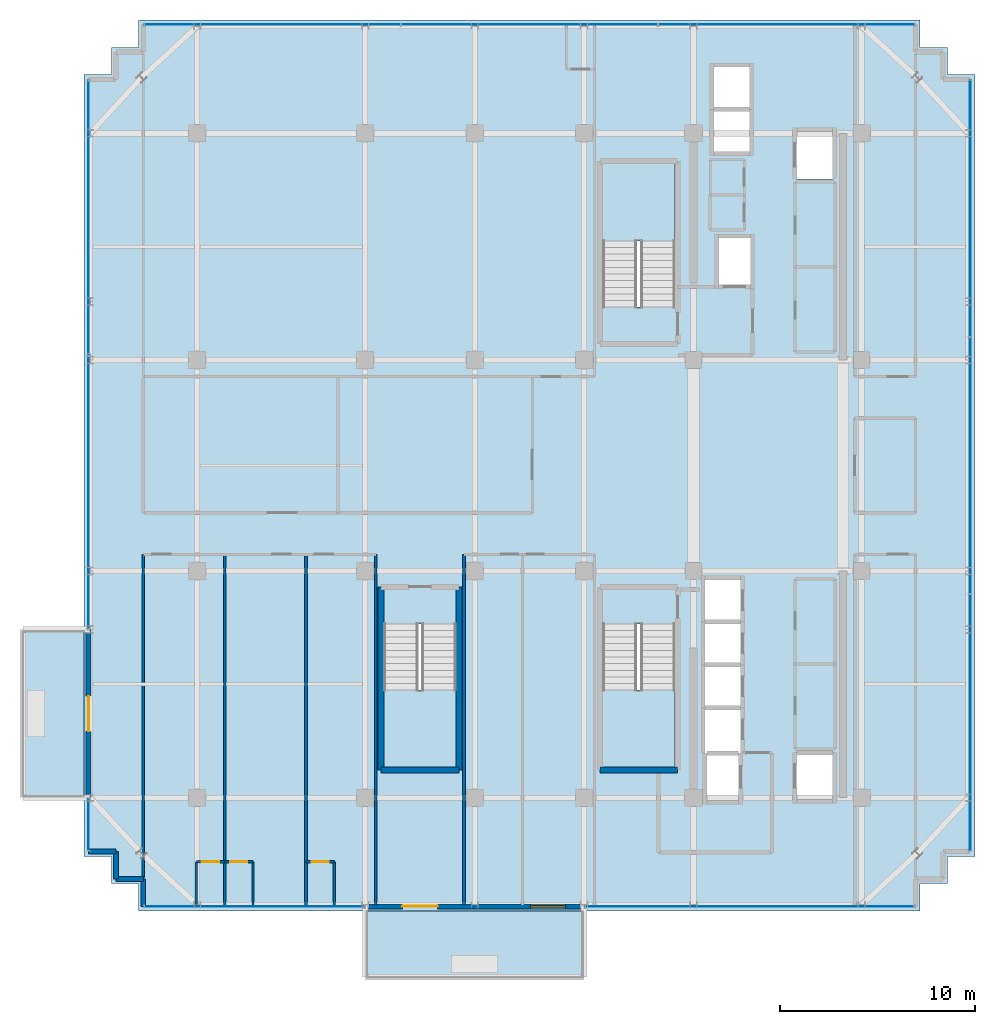
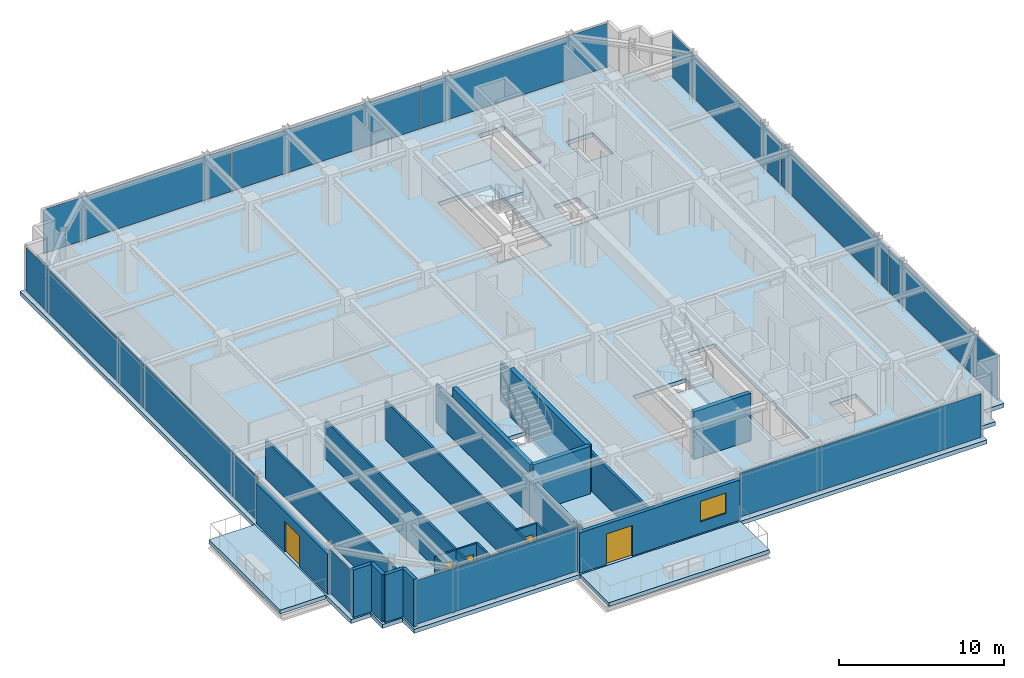
# One storey, part 24 of 31: 21 walls, 11 plates, 6 slabs, 5 doors, 1 window, 6 openings, 9 elements without a shape of their own.
"""IFC4 building model written with IfcOpenShell, lengths in metres."""

from ifc_helpers import new_model, si_unit, direction, frame, frame_2d, origin, origin_2d, place, context, subcontext, project, spatial, polyline, rectangle, outline, extrude, source, transform, mapped, material, layer, layer_set, type_object, element, fill, aggregate, save


model = new_model("IFC4")

# Units and contexts
model_context = context("Model", 3, precision=1e-05, world=origin(), true_north=direction((0.0, 1.0)))
body_context = subcontext(model_context, "Body", "Model", "MODEL_VIEW")
ifc_project = project(units=[si_unit("LENGTHUNIT", "METRE"), si_unit("AREAUNIT", "SQUARE_METRE"), si_unit("VOLUMEUNIT", "CUBIC_METRE"), si_unit("PLANEANGLEUNIT", "RADIAN"), si_unit("MASSUNIT", "GRAM", prefix="KILO")], contexts=[model_context])

# Site, building, storey
site_placement = place(None, origin())
site = spatial("IfcSite", under=ifc_project, at=site_placement, CompositionType="ELEMENT")
building_placement = place(site_placement, origin())
building = spatial("IfcBuilding", under=site, at=building_placement, Name="Nahalor Promenade Grand Hotel", CompositionType="ELEMENT")
storey_placement = place(building_placement, frame((0.0, 0.0, 323.35009765625)))
storey = spatial("IfcBuildingStorey", under=building, at=storey_placement, Name="L83", CompositionType="ELEMENT", Elevation=323.35009765625)

# Stair, slab
ifc_material_1 = material(Name="Concrete B-50 (C40/50)", Category="concrete")
stair_type_1 = type_object("IfcStairType", Name="Stair-ST1", PredefinedType="HALF_TURN_STAIR", material=ifc_material_1)
stair_1_placement = place(storey_placement, origin())
stair_1 = element("IfcStair", 1, at=stair_1_placement, inside=storey, type_object=stair_type_1, Name="L83 ST1", PredefinedType="HALF_TURN_STAIR")
ifc_layer_1 = layer(ifc_material_1, 0.199951171875)
ifc_layer_set_1 = layer_set([ifc_layer_1], Name="Concrete B-50 (C40/50)")
slab_type_1 = type_object("IfcSlabType", Name="Landing-ST1", PredefinedType="LANDING", material=ifc_layer_set_1)
slab_1_placement = place(storey_placement, frame((0.0, 0.0, 1.699951171875)))
slab_1 = element("IfcSlab", 2, at=slab_1_placement, type_object=slab_type_1, Name="ST1 landing 1", PredefinedType="LANDING", context=body_context, shape_type="SweptSolid", body=[
    extrude(outline(polyline([(7.449951171875, 11.5), (7.449951171875, 15.449951171875), (3.75, 15.449951171875), (3.75, 11.5), (7.449951171875, 11.5)])), origin(), (0.0, 0.0, 1.0), 0.199951171875),
])
aggregate(stair_1, [slab_1])

stair_type_2 = type_object("IfcStairType", Name="Stair-ST2", PredefinedType="HALF_TURN_STAIR", material=ifc_material_1)
stair_2_placement = place(storey_placement, origin())
stair_2 = element("IfcStair", 3, at=stair_2_placement, inside=storey, type_object=stair_type_2, Name="L83 ST2", PredefinedType="HALF_TURN_STAIR")
ifc_layer_2 = layer(ifc_material_1, 0.2099609375)
ifc_layer_set_2 = layer_set([ifc_layer_2], Name="Concrete B-50 (C40/50)")
slab_type_2 = type_object("IfcSlabType", Name="Landing-ST2", PredefinedType="LANDING", material=ifc_layer_set_2)
slab_2_placement = place(storey_placement, frame((0.0, 0.0, 1.68994140625)))
slab_2 = element("IfcSlab", 4, at=slab_2_placement, type_object=slab_type_2, Name="ST2 landing 1", PredefinedType="LANDING", context=body_context, shape_type="SweptSolid", body=[
    extrude(outline(polyline([(3.75, -11.5), (3.75, -15.449951171875), (7.449951171875, -15.449951171875), (7.449951171875, -11.5), (3.75, -11.5)])), origin(), (0.0, 0.0, 1.0), 0.2099609375),
])
aggregate(stair_2, [slab_2])

stair_type_3 = type_object("IfcStairType", Name="Stair-ST3", PredefinedType="HALF_TURN_STAIR", material=ifc_material_1)
stair_3_placement = place(storey_placement, origin())
stair_3 = element("IfcStair", 5, at=stair_3_placement, inside=storey, type_object=stair_type_3, Name="L83 ST3", PredefinedType="HALF_TURN_STAIR")
ifc_layer_3 = layer(ifc_material_1, 0.219970703125)
ifc_layer_set_3 = layer_set([ifc_layer_3], Name="Concrete B-50 (C40/50)")
slab_type_3 = type_object("IfcSlabType", Name="Landing-ST3", PredefinedType="LANDING", material=ifc_layer_set_3)
slab_3_placement = place(storey_placement, frame((0.0, 0.0, 1.679931640625)))
slab_3 = element("IfcSlab", 6, at=slab_3_placement, type_object=slab_type_3, Name="ST3 landing 1", PredefinedType="LANDING", context=body_context, shape_type="SweptSolid", body=[
    extrude(outline(polyline([(-7.449951171875, -11.5), (-7.449951171875, -15.449951171875), (-3.75, -15.449951171875), (-3.75, -11.5), (-7.449951171875, -11.5)])), origin(), (0.0, 0.0, 1.0), 0.219970703125),
])
aggregate(stair_3, [slab_3])

# Slabs
ifc_layer_4 = layer(ifc_material_1, 0.280029296875)
ifc_layer_set_4 = layer_set([ifc_layer_4], Name="Concrete B-50 (C40/50)")
slab_type_4 = type_object("IfcSlabType", Name="Slab-Balcony-280", PredefinedType="FLOOR", material=ifc_layer_set_4)
slab_4_placement = place(storey_placement, frame((0.0, 0.0, -0.280029296875)))
element("IfcSlab", 7, at=slab_4_placement, inside=storey, type_object=slab_type_4, Name="L83 Cantilevered Planted Balcony 1", PredefinedType="FLOOR", context=body_context, shape_type="SweptSolid", body=[
    extrude(outline(polyline([(-8.39990234375, -26.260009765625), (2.800048828125, -26.260009765625), (2.800048828125, -22.800048828125), (-8.39990234375, -22.800048828125), (-8.39990234375, -26.260009765625)])), origin(), (0.0, 0.0, 1.0), 0.280029296875),
])
slab_5_placement = place(storey_placement, frame((0.0, 0.0, -0.280029296875)))
element("IfcSlab", 8, at=slab_5_placement, inside=storey, type_object=slab_type_4, Name="L83 Cantilevered Planted Balcony 2", PredefinedType="FLOOR", context=body_context, shape_type="SweptSolid", body=[
    extrude(outline(polyline([(-26.0, -17.0), (-22.800048828125, -17.0), (-22.800048828125, -8.39990234375), (-26.0, -8.39990234375), (-26.0, -17.0)])), origin(), (0.0, 0.0, 1.0), 0.280029296875),
])
ifc_layer_5 = layer(ifc_material_1, 0.300048828125)
ifc_layer_set_5 = layer_set([ifc_layer_5], Name="Concrete B-50 (C40/50)")
slab_type_5 = type_object("IfcSlabType", Name="Slab-TowerZ5-300", PredefinedType="FLOOR", material=ifc_layer_set_5)
slab_6_placement = place(storey_placement, frame((0.0, 0.0, -0.300048828125)))
element("IfcSlab", 9, at=slab_6_placement, inside=storey, type_object=slab_type_5, Name="L83 Suspended Structural Floor Slab", PredefinedType="FLOOR", context=body_context, shape_type="SweptSolid", body=[
    extrude(outline(polyline([(-20.0, -22.800048828125), (20.0, -22.800048828125), (20.0, -21.39990234375), (21.39990234375, -21.39990234375), (21.39990234375, -20.0), (22.800048828125, -20.0), (22.800048828125, 20.0), (21.39990234375, 20.0), (21.39990234375, 21.39990234375), (20.0, 21.39990234375), (20.0, 22.800048828125), (-20.0, 22.800048828125), (-20.0, 21.39990234375), (-21.39990234375, 21.39990234375), (-21.39990234375, 20.0), (-22.800048828125, 20.0), (-22.800048828125, -20.0), (-21.39990234375, -20.0), (-21.39990234375, -21.39990234375), (-20.0, -21.39990234375), (-20.0, -22.800048828125)]), holes=[polyline([(3.75, 8.10009765625), (7.449951171875, 8.10009765625), (7.449951171875, 15.449951171875), (3.75, 15.449951171875), (3.75, 8.10009765625)]), polyline([(3.75, -15.449951171875), (7.449951171875, -15.449951171875), (7.449951171875, -8.10009765625), (3.75, -8.10009765625), (3.75, -15.449951171875)]), polyline([(-7.449951171875, -15.449951171875), (-3.75, -15.449951171875), (-3.75, -8.10009765625), (-7.449951171875, -8.10009765625), (-7.449951171875, -15.449951171875)]), polyline([(8.9599609375, -17.18994140625), (10.840087890625, -17.18994140625), (10.840087890625, -5.81005859375), (8.9599609375, -5.81005859375), (8.9599609375, -17.18994140625)]), polyline([(9.409912109375, 16.010009765625), (11.2900390625, 16.010009765625), (11.2900390625, 20.43994140625), (9.409912109375, 20.43994140625), (9.409912109375, 16.010009765625)]), polyline([(9.659912109375, 9.2099609375), (11.340087890625, 9.2099609375), (11.340087890625, 11.68994140625), (9.659912109375, 11.68994140625), (9.659912109375, 9.2099609375)]), polyline([(13.659912109375, 14.659912109375), (15.5400390625, 14.659912109375), (15.5400390625, 17.139892578125), (13.659912109375, 17.139892578125), (13.659912109375, 14.659912109375)]), polyline([(13.659912109375, -17.139892578125), (15.5400390625, -17.139892578125), (15.5400390625, -14.659912109375), (13.659912109375, -14.659912109375), (13.659912109375, -17.139892578125)])]), origin(), (0.0, 0.0, 1.0), 0.300048828125),
])

# Curtain wall, plate
ifc_material_2 = material(Name="Anodised Bronze Aluminium EN AW-6063 T6", Category="aluminium")
curtain_wall_type = type_object("IfcCurtainWallType", Name="CW2 Typical Hotel Flush Bronze Unitised Curtain Wall", PredefinedType="USERDEFINED", material=ifc_material_2)
curtain_wall_1_placement = place(storey_placement, origin())
curtain_wall_1 = element("IfcCurtainWall", 10, at=curtain_wall_1_placement, inside=storey, type_object=curtain_wall_type, Name="L83 Curtain Wall CW-L83-W-1", ObjectType="UNITISED_CURTAIN_WALL", PredefinedType="USERDEFINED")
ifc_material_3 = material(Name="Low-E Laminated Solar Glass", Category="glass")
ifc_layer_6 = layer(ifc_material_3, 0.028076171875)
ifc_layer_set_6 = layer_set([ifc_layer_6], Name="Low-E Laminated Solar Glass")
plate_type = type_object("IfcPlateType", Name="CWP2 Bronze Low-E Vision IGU 28mm", PredefinedType="CURTAIN_PANEL", material=ifc_layer_set_6)
shared_shape_1 = source(origin(), body_context, "Body", "SweptSolid", [
    extrude(rectangle(XDim=2.6298828125, YDim=0.028076171875, at=origin_2d()), origin(), (0.0, 0.0, 1.0), 3.239990234375),
])
plate_1_placement = place(storey_placement, frame((-22.56005859375, -18.3798828125, 0.1298828125), z_axis=(0.0, 0.0, 1.0), x_axis=(0.0, 1.0, 0.0)))
plate_1 = element("IfcPlate", 11, at=plate_1_placement, type_object=plate_type, Name="CW-L83-W-1 Glazing Panel 0-0", PredefinedType="CURTAIN_PANEL", context=body_context, shape_type="MappedRepresentation", body=[
    mapped(shared_shape_1, transform((0.0, 0.0, 0.0), scale=1.0)),
])
aggregate(curtain_wall_1, [plate_1])

# Curtain wall, plates
curtain_wall_2_placement = place(storey_placement, origin())
curtain_wall_2 = element("IfcCurtainWall", 12, at=curtain_wall_2_placement, inside=storey, type_object=curtain_wall_type, Name="L83 Curtain Wall CW-L83-W-3", ObjectType="UNITISED_CURTAIN_WALL", PredefinedType="USERDEFINED")
shared_shape_2 = source(origin(), body_context, "Body", "SweptSolid", [
    extrude(rectangle(XDim=13.982421875, YDim=0.028076171875, at=origin_2d()), origin(), (0.0, 0.0, 1.0), 3.239990234375),
])
plate_2_placement = place(storey_placement, frame((-22.56005859375, -1.34375, 0.1298828125), z_axis=(0.0, 0.0, 1.0), x_axis=(0.0, 1.0, 0.0)))
plate_2 = element("IfcPlate", 13, at=plate_2_placement, type_object=plate_type, Name="CW-L83-W-3 Glazing Panel 0-0", PredefinedType="CURTAIN_PANEL", context=body_context, shape_type="MappedRepresentation", body=[
    mapped(shared_shape_2, transform((0.0, 0.0, 0.0), scale=1.0)),
])
plate_3_placement = place(storey_placement, frame((-22.56005859375, 12.703857421875, 0.1298828125), z_axis=(0.0, 0.0, 1.0), x_axis=(0.0, 1.0, 0.0)))
plate_3 = element("IfcPlate", 14, at=plate_3_placement, type_object=plate_type, Name="CW-L83-W-3 Glazing Panel 1-0", PredefinedType="CURTAIN_PANEL", context=body_context, shape_type="MappedRepresentation", body=[
    mapped(shared_shape_2, transform((0.0, 0.0, 0.0), scale=1.0)),
])
aggregate(curtain_wall_2, [plate_2, plate_3])

curtain_wall_3_placement = place(storey_placement, origin())
curtain_wall_3 = element("IfcCurtainWall", 15, at=curtain_wall_3_placement, inside=storey, type_object=curtain_wall_type, Name="L83 Curtain Wall CW-L83-N-1", ObjectType="UNITISED_CURTAIN_WALL", PredefinedType="USERDEFINED")
shared_shape_3 = source(origin(), body_context, "Body", "SweptSolid", [
    extrude(rectangle(XDim=13.075927734375, YDim=0.028076171875, at=origin_2d()), origin(), (0.0, 0.0, 1.0), 3.239990234375),
])
plate_4_placement = place(storey_placement, frame((-13.156982421875, 22.56005859375, 0.1298828125), z_axis=(0.0, 0.0, 1.0), x_axis=(1.0, 0.0, 0.0)))
plate_4 = element("IfcPlate", 16, at=plate_4_placement, type_object=plate_type, Name="CW-L83-N-1 Glazing Panel 0-0", PredefinedType="CURTAIN_PANEL", context=body_context, shape_type="MappedRepresentation", body=[
    mapped(shared_shape_3, transform((0.0, 0.0, 0.0), scale=1.0)),
])
plate_5_placement = place(storey_placement, frame((13.156982421875, 22.56005859375, 0.1298828125), z_axis=(0.0, 0.0, 1.0), x_axis=(1.0, 0.0, 0.0)))
plate_5 = element("IfcPlate", 17, at=plate_5_placement, type_object=plate_type, Name="CW-L83-N-1 Glazing Panel 2-0", PredefinedType="CURTAIN_PANEL", context=body_context, shape_type="MappedRepresentation", body=[
    mapped(shared_shape_3, transform((0.0, 0.0, 0.0), scale=1.0)),
])

curtain_wall_4_placement = place(storey_placement, origin())
curtain_wall_4 = element("IfcCurtainWall", 18, at=curtain_wall_4_placement, inside=storey, type_object=curtain_wall_type, Name="L83 Curtain Wall CW-L83-E-1", ObjectType="UNITISED_CURTAIN_WALL", PredefinedType="USERDEFINED")
plate_6_placement = place(storey_placement, frame((22.56005859375, -13.156982421875, 0.1298828125), z_axis=(0.0, 0.0, 1.0), x_axis=(0.0, 1.0, 0.0)))
plate_6 = element("IfcPlate", 19, at=plate_6_placement, type_object=plate_type, Name="CW-L83-E-1 Glazing Panel 0-0", PredefinedType="CURTAIN_PANEL", context=body_context, shape_type="MappedRepresentation", body=[
    mapped(shared_shape_3, transform((0.0, 0.0, 0.0), scale=1.0)),
])
plate_7_placement = place(storey_placement, frame((22.56005859375, 13.156982421875, 0.1298828125), z_axis=(0.0, 0.0, 1.0), x_axis=(0.0, 1.0, 0.0)))
plate_7 = element("IfcPlate", 20, at=plate_7_placement, type_object=plate_type, Name="CW-L83-E-1 Glazing Panel 2-0", PredefinedType="CURTAIN_PANEL", context=body_context, shape_type="MappedRepresentation", body=[
    mapped(shared_shape_3, transform((0.0, 0.0, 0.0), scale=1.0)),
])

# Plate
shared_shape_4 = source(origin(), body_context, "Body", "SweptSolid", [
    extrude(rectangle(XDim=13.1083984375, YDim=0.028076171875, at=origin_2d()), origin(), (0.0, 0.0, 1.0), 3.239990234375),
])
plate_8_placement = place(storey_placement, frame((0.0, 22.56005859375, 0.1298828125), z_axis=(0.0, 0.0, 1.0), x_axis=(1.0, 0.0, 0.0)))
plate_8 = element("IfcPlate", 21, at=plate_8_placement, type_object=plate_type, Name="CW-L83-N-1 Glazing Panel 1-0", PredefinedType="CURTAIN_PANEL", context=body_context, shape_type="MappedRepresentation", body=[
    mapped(shared_shape_4, transform((0.0, 0.0, 0.0), scale=1.0)),
])

aggregate(curtain_wall_3, [plate_4, plate_8, plate_5])

plate_9_placement = place(storey_placement, frame((22.56005859375, 0.0, 0.1298828125), z_axis=(0.0, 0.0, 1.0), x_axis=(0.0, 1.0, 0.0)))
plate_9 = element("IfcPlate", 22, at=plate_9_placement, type_object=plate_type, Name="CW-L83-E-1 Glazing Panel 1-0", PredefinedType="CURTAIN_PANEL", context=body_context, shape_type="MappedRepresentation", body=[
    mapped(shared_shape_4, transform((0.0, 0.0, 0.0), scale=1.0)),
])

aggregate(curtain_wall_4, [plate_6, plate_9, plate_7])

# Curtain wall, plate
curtain_wall_5_placement = place(storey_placement, origin())
curtain_wall_5 = element("IfcCurtainWall", 23, at=curtain_wall_5_placement, inside=storey, type_object=curtain_wall_type, Name="L83 Curtain Wall CW-L83-S-1", ObjectType="UNITISED_CURTAIN_WALL", PredefinedType="USERDEFINED")
shared_shape_5 = source(origin(), body_context, "Body", "SweptSolid", [
    extrude(rectangle(XDim=11.22998046875, YDim=0.028076171875, at=origin_2d()), origin(), (0.0, 0.0, 1.0), 3.239990234375),
])
plate_10_placement = place(storey_placement, frame((-14.080078125, -22.56005859375, 0.1298828125), z_axis=(0.0, 0.0, 1.0), x_axis=(1.0, 0.0, 0.0)))
plate_10 = element("IfcPlate", 24, at=plate_10_placement, type_object=plate_type, Name="CW-L83-S-1 Glazing Panel 0-0", PredefinedType="CURTAIN_PANEL", context=body_context, shape_type="MappedRepresentation", body=[
    mapped(shared_shape_5, transform((0.0, 0.0, 0.0), scale=1.0)),
])
aggregate(curtain_wall_5, [plate_10])

curtain_wall_6_placement = place(storey_placement, origin())
curtain_wall_6 = element("IfcCurtainWall", 25, at=curtain_wall_6_placement, inside=storey, type_object=curtain_wall_type, Name="L83 Curtain Wall CW-L83-S-3", ObjectType="UNITISED_CURTAIN_WALL", PredefinedType="USERDEFINED")
shared_shape_6 = source(origin(), body_context, "Body", "SweptSolid", [
    extrude(rectangle(XDim=16.830078125, YDim=0.028076171875, at=origin_2d()), origin(), (0.0, 0.0, 1.0), 3.239990234375),
])
plate_11_placement = place(storey_placement, frame((11.280029296875, -22.56005859375, 0.1298828125), z_axis=(0.0, 0.0, 1.0), x_axis=(1.0, 0.0, 0.0)))
plate_11 = element("IfcPlate", 26, at=plate_11_placement, type_object=plate_type, Name="CW-L83-S-3 Glazing Panel 0-0", PredefinedType="CURTAIN_PANEL", context=body_context, shape_type="MappedRepresentation", body=[
    mapped(shared_shape_6, transform((0.0, 0.0, 0.0), scale=1.0)),
])
aggregate(curtain_wall_6, [plate_11])

# Walls
ifc_layer_7 = layer(ifc_material_1, 0.300048828125)
ifc_layer_set_7 = layer_set([ifc_layer_7], Name="Concrete B-50 (C40/50)")
wall_type_1 = type_object("IfcWallType", Name="Wall-ShaftShear-300", PredefinedType="SHEAR", material=ifc_layer_set_7)
shared_shape_7 = source(origin(), body_context, "Body", "SweptSolid", [
    extrude(rectangle(XDim=3.97998046875, YDim=0.300048828125, at=frame_2d((1.989990234375, 0.0))), origin(), (0.0, 0.0, 1.0), 3.5),
])
for number, where, z_axis, x_axis, name in (
    (27, (3.610107421875, -15.590087890625, 0.0), (0.0, 0.0, 1.0), (1.0, 0.0, 0.0), "L83 Exit Stair ST2 Shaft Wall S"),
    (28, (-7.590087890625, -15.590087890625, 0.0), (0.0, 0.0, 1.0), (1.0, 0.0, 0.0), "L83 Exit Stair ST3 Shaft Wall S"),
):
    element("IfcWall", number, at=place(storey_placement, frame(where, z_axis=z_axis, x_axis=x_axis)), inside=storey, type_object=wall_type_1, Name=name, PredefinedType="SHEAR", context=body_context, shape_type="MappedRepresentation", body=[
        mapped(shared_shape_7, transform((0.0, 0.0, 0.0), scale=1.0)),
    ])
shared_shape_8 = source(origin(), body_context, "Body", "SweptSolid", [
    extrude(rectangle(XDim=9.380126953125, YDim=0.300048828125, at=frame_2d((4.68994140625, 0.0))), origin(), (0.0, 0.0, 1.0), 3.5),
])
for number, where, z_axis, x_axis, name in (
    (29, (-7.590087890625, -15.590087890625, 0.0), (0.0, 0.0, 1.0), (0.0, 1.0, 0.0), "L83 Exit Stair ST3 Shaft Wall W"),
    (30, (-3.610107421875, -15.590087890625, 0.0), (0.0, 0.0, 1.0), (0.0, 1.0, 0.0), "L83 Exit Stair ST3 Shaft Wall E"),
):
    element("IfcWall", number, at=place(storey_placement, frame(where, z_axis=z_axis, x_axis=x_axis)), inside=storey, type_object=wall_type_1, Name=name, PredefinedType="SHEAR", context=body_context, shape_type="MappedRepresentation", body=[
        mapped(shared_shape_8, transform((0.0, 0.0, 0.0), scale=1.0)),
    ])
ifc_material_4 = material(Name="Concrete B-40 (C32/40)", Category="concrete")
ifc_layer_8 = layer(ifc_material_4, 0.25)
ifc_layer_set_8 = layer_set([ifc_layer_8], Name="Concrete B-40 (C32/40)")
wall_type_2 = type_object("IfcWallType", Name="Wall-BronzePier-250", PredefinedType="STANDARD", material=ifc_layer_set_8)
shared_shape_9 = source(origin(), body_context, "Body", "SweptSolid", [
    extrude(rectangle(XDim=1.400146484375, YDim=0.25, at=frame_2d((0.7001953125, 0.0))), origin(), (0.0, 0.0, 1.0), 3.5),
])
for number, where, z_axis, x_axis, name in (
    (31, (-22.56005859375, -19.760009765625, 0.0), (0.0, 0.0, 1.0), (1.0, 0.0, 0.0), "W-L83-SR-13"),
    (32, (-19.760009765625, -22.56005859375, 0.0), (0.0, 0.0, 1.0), (0.0, 1.0, 0.0), "W-L83-SR-16"),
):
    element("IfcWall", number, at=place(storey_placement, frame(where, z_axis=z_axis, x_axis=x_axis)), inside=storey, type_object=wall_type_2, Name=name, PredefinedType="STANDARD", context=body_context, shape_type="MappedRepresentation", body=[
        mapped(shared_shape_9, transform((0.0, 0.0, 0.0), scale=1.0)),
    ])
shared_shape_10 = source(origin(), body_context, "Body", "SweptSolid", [
    extrude(rectangle(XDim=1.39990234375, YDim=0.25, at=frame_2d((0.699951171875, 0.0))), origin(), (0.0, 0.0, 1.0), 3.5),
])
for number, where, z_axis, x_axis, name in (
    (33, (-21.159912109375, -21.159912109375, 0.0), (0.0, 0.0, 1.0), (0.0, 1.0, 0.0), "W-L83-SR-14"),
    (34, (-21.159912109375, -21.159912109375, 0.0), (0.0, 0.0, 1.0), (1.0, 0.0, 0.0), "W-L83-SR-15"),
):
    element("IfcWall", number, at=place(storey_placement, frame(where, z_axis=z_axis, x_axis=x_axis)), inside=storey, type_object=wall_type_2, Name=name, PredefinedType="STANDARD", context=body_context, shape_type="MappedRepresentation", body=[
        mapped(shared_shape_10, transform((0.0, 0.0, 0.0), scale=1.0)),
    ])

# Wall, opening, door
ifc_layer_9 = layer(ifc_material_4, 0.260009765625)
ifc_layer_set_9 = layer_set([ifc_layer_9], Name="Concrete B-40 (C32/40)")
wall_type_3 = type_object("IfcWallType", Name="Wall-BalconyWall-260", PredefinedType="STANDARD", material=ifc_layer_set_9)
shared_shape_11 = source(origin(), body_context, "Body", "SweptSolid", [
    extrude(rectangle(XDim=8.60009765625, YDim=0.260009765625, at=frame_2d((4.300048828125, 0.0))), origin(), (0.0, 0.0, 1.0), 2.97998046875),
])
wall_1_placement = place(storey_placement, frame((-22.56005859375, -17.0, 0.0), z_axis=(0.0, 0.0, 1.0), x_axis=(0.0, 1.0, 0.0)))
wall_1 = element("IfcWall", 35, at=wall_1_placement, inside=storey, type_object=wall_type_3, Name="W-L83-BALC-W-2", PredefinedType="STANDARD", context=body_context, shape_type="MappedRepresentation", body=[
    mapped(shared_shape_11, transform((0.0, 0.0, 0.0), scale=1.0)),
])
opening_1_placement = place(wall_1_placement, frame((3.39990234375, 0.0, 0.0)))
opening_1 = element("IfcOpeningElement", 36, at=opening_1_placement, cuts=wall_1, Name="Opening D-BC1", PredefinedType="OPENING", context=body_context, shape_type="SweptSolid", body=[
    extrude(rectangle(XDim=1.800048828125, YDim=2.25, at=frame_2d((0.89990234375, 1.125))), frame((0.0, 0.139892578125, 0.0), z_axis=(0.0, -1.0, 0.0), x_axis=(1.0, 0.0, 0.0)), (0.0, 0.0, 1.0), 0.280029296875),
])
door_type_1 = type_object("IfcDoorType", Name="Door-BalconySlide-1800", OperationType="DOUBLE_DOOR_SLIDING", PredefinedType="DOOR", material=ifc_material_2)
shared_shape_12 = source(origin(), body_context, "Body", "SweptSolid", [
    extrude(rectangle(XDim=1.800048828125, YDim=2.25, at=frame_2d((0.89990234375, 1.125))), frame((0.0, 0.02490234375, 0.0), z_axis=(0.0, -1.0, 0.0), x_axis=(1.0, 0.0, 0.0)), (0.0, 0.0, 1.0), 0.050048828125),
])
door_1_placement = place(opening_1_placement, origin())
door_1 = element("IfcDoor", 37, at=door_1_placement, inside=storey, type_object=door_type_1, Name="DR-L83-BALC-W-2", OperationType="DOUBLE_DOOR_SLIDING", OverallHeight=2.25, OverallWidth=1.800048828125, PredefinedType="DOOR", context=body_context, shape_type="MappedRepresentation", body=[
    mapped(shared_shape_12, transform((0.0, 0.0, 0.0), scale=1.0)),
])
fill(opening_1, door_1)

# Wall, openings, door, window
shared_shape_13 = source(origin(), body_context, "Body", "SweptSolid", [
    extrude(rectangle(XDim=11.199951171875, YDim=0.260009765625, at=frame_2d((5.60009765625, 0.0))), origin(), (0.0, 0.0, 1.0), 2.97998046875),
])
wall_2_placement = place(storey_placement, frame((-8.39990234375, -22.56005859375, 0.0), z_axis=(0.0, 0.0, 1.0), x_axis=(1.0, 0.0, 0.0)))
wall_2 = element("IfcWall", 38, at=wall_2_placement, inside=storey, type_object=wall_type_3, Name="W-L83-BALC-S-2", PredefinedType="STANDARD", context=body_context, shape_type="MappedRepresentation", body=[
    mapped(shared_shape_13, transform((0.0, 0.0, 0.0), scale=1.0)),
])
opening_2_placement = place(wall_2_placement, frame((1.89990234375, 0.0, 0.0)))
opening_2 = element("IfcOpeningElement", 39, at=opening_2_placement, cuts=wall_2, Name="Opening D-BC1", PredefinedType="OPENING", context=body_context, shape_type="SweptSolid", body=[
    extrude(rectangle(XDim=1.800048828125, YDim=2.25, at=frame_2d((0.89990234375, 1.125))), frame((0.0, 0.139892578125, 0.0), z_axis=(0.0, -1.0, 0.0), x_axis=(1.0, 0.0, 0.0)), (0.0, 0.0, 1.0), 0.280029296875),
])
opening_3_placement = place(wall_2_placement, frame((8.449951171875, 0.0, 0.85009765625)))
opening_3 = element("IfcOpeningElement", 40, at=opening_3_placement, cuts=wall_2, Name="Opening WN-01", PredefinedType="OPENING", context=body_context, shape_type="SweptSolid", body=[
    extrude(rectangle(XDim=1.800048828125, YDim=1.5, at=frame_2d((0.89990234375, 0.75))), frame((0.0, 0.139892578125, 0.0), z_axis=(0.0, -1.0, 0.0), x_axis=(1.0, 0.0, 0.0)), (0.0, 0.0, 1.0), 0.280029296875),
])
door_2_placement = place(opening_2_placement, frame((1.800048828125, 0.0, 0.0), z_axis=(0.0, 0.0, 1.0), x_axis=(-1.0, 0.0, 0.0)))
door_2 = element("IfcDoor", 41, at=door_2_placement, inside=storey, type_object=door_type_1, Name="DR-L83-BALC-S-2", OperationType="DOUBLE_DOOR_SLIDING", OverallHeight=2.25, OverallWidth=1.800048828125, PredefinedType="DOOR", context=body_context, shape_type="MappedRepresentation", body=[
    mapped(shared_shape_12, transform((0.0, 0.0, 0.0), scale=1.0)),
])
fill(opening_2, door_2)
window_type = type_object("IfcWindowType", Name="Win-ChicagoBay-1800x1500", PartitioningType="SINGLE_PANEL", PredefinedType="WINDOW", material=ifc_material_3)
shared_shape_14 = source(origin(), body_context, "Body", "SweptSolid", [
    extrude(rectangle(XDim=1.800048828125, YDim=1.5, at=frame_2d((0.89990234375, 0.75))), frame((0.0, 0.030029296875, 0.0), z_axis=(0.0, -1.0, 0.0), x_axis=(1.0, 0.0, 0.0)), (0.0, 0.0, 1.0), 0.06005859375),
])
window_placement = place(opening_3_placement, origin())
window = element("IfcWindow", 42, at=window_placement, inside=storey, type_object=window_type, Name="WN-L83-BALC-S-2-1", OverallHeight=1.5, OverallWidth=1.800048828125, PartitioningType="SINGLE_PANEL", PredefinedType="WINDOW", context=body_context, shape_type="MappedRepresentation", body=[
    mapped(shared_shape_14, transform((0.0, 0.0, 0.0), scale=1.0)),
])
fill(opening_3, window)

# Walls
ifc_material_5 = material(Name="Acoustic Mineral Gypsum", Category="gypsum")
ifc_layer_10 = layer(ifc_material_5, 0.159912109375)
ifc_layer_set_10 = layer_set([ifc_layer_10], Name="Acoustic Mineral Gypsum")
wall_type_4 = type_object("IfcWallType", Name="Wall-PartCorridor-160", PredefinedType="PARTITIONING", material=ifc_layer_set_10)
shared_shape_15 = source(origin(), body_context, "Body", "SweptSolid", [
    extrude(rectangle(XDim=17.949951171875, YDim=0.159912109375, at=frame_2d((8.97509765625, 0.0))), origin(), (0.0, 0.0, 1.0), 2.83984375),
])
wall_3_placement = place(storey_placement, frame((-3.340087890625, -22.5, 0.0), z_axis=(0.0, 0.0, 1.0), x_axis=(0.0, 1.0, 0.0)))
element("IfcWall", 43, at=wall_3_placement, inside=storey, type_object=wall_type_4, Name="W-L83-SCB1-W", PredefinedType="PARTITIONING", context=body_context, shape_type="MappedRepresentation", body=[
    mapped(shared_shape_15, transform((0.0, 0.0, 0.0), scale=1.0)),
])
ifc_layer_11 = layer(ifc_material_5, 0.139892578125)
ifc_layer_set_11 = layer_set([ifc_layer_11], Name="Acoustic Mineral Gypsum")
wall_type_5 = type_object("IfcWallType", Name="Wall-PartSuite-140", PredefinedType="PARTITIONING", material=ifc_layer_set_11)
shared_shape_16 = source(origin(), body_context, "Body", "SweptSolid", [
    extrude(rectangle(XDim=16.530029296875, YDim=0.139892578125, at=frame_2d((8.26513671875, 0.0))), origin(), (0.0, 0.0, 1.0), 2.83984375),
])
wall_4_placement = place(storey_placement, frame((-19.760009765625, -21.080078125, 0.0), z_axis=(0.0, 0.0, 1.0), x_axis=(0.0, 1.0, 0.0)))
element("IfcWall", 44, at=wall_4_placement, inside=storey, type_object=wall_type_5, Name="W-L83-SW-ENDW", PredefinedType="PARTITIONING", context=body_context, shape_type="MappedRepresentation", body=[
    mapped(shared_shape_16, transform((0.0, 0.0, 0.0), scale=1.0)),
])
shared_shape_17 = source(origin(), body_context, "Body", "SweptSolid", [
    extrude(rectangle(XDim=17.949951171875, YDim=0.139892578125, at=frame_2d((8.97509765625, 0.0))), origin(), (0.0, 0.0, 1.0), 2.83984375),
])
for number, where, z_axis, x_axis, name in (
    (45, (-7.860107421875, -22.5, 0.0), (0.0, 0.0, 1.0), (0.0, 1.0, 0.0), "W-L83-SW-ENDE"),
    (46, (-15.594970703125, -22.5, 0.0), (0.0, 0.0, 1.0), (0.0, 1.0, 0.0), "W-L83-SP-1"),
    (47, (-11.429931640625, -22.5, 0.0), (0.0, 0.0, 1.0), (0.0, 1.0, 0.0), "W-L83-SP-2"),
):
    element("IfcWall", number, at=place(storey_placement, frame(where, z_axis=z_axis, x_axis=x_axis)), inside=storey, type_object=wall_type_5, Name=name, PredefinedType="PARTITIONING", context=body_context, shape_type="MappedRepresentation", body=[
        mapped(shared_shape_17, transform((0.0, 0.0, 0.0), scale=1.0)),
    ])

# Wall, opening, door
ifc_layer_12 = layer(ifc_material_5, 0.1201171875)
ifc_layer_set_12 = layer_set([ifc_layer_12], Name="Acoustic Mineral Gypsum")
wall_type_6 = type_object("IfcWallType", Name="Wall-PartBath-120", PredefinedType="PARTITIONING", material=ifc_layer_set_12)
shared_shape_18 = source(origin(), body_context, "Body", "SweptSolid", [
    extrude(rectangle(XDim=1.449951171875, YDim=0.1201171875, at=frame_2d((0.72509765625, 0.0))), origin(), (0.0, 0.0, 1.0), 2.83984375),
])
wall_5_placement = place(storey_placement, frame((-17.044921875, -20.280029296875, 0.0), z_axis=(0.0, 0.0, 1.0), x_axis=(1.0, 0.0, 0.0)))
wall_5 = element("IfcWall", 48, at=wall_5_placement, inside=storey, type_object=wall_type_6, Name="W-L83-S1-BH", PredefinedType="PARTITIONING", context=body_context, shape_type="MappedRepresentation", body=[
    mapped(shared_shape_18, transform((0.0, 0.0, 0.0), scale=1.0)),
])
opening_4_placement = place(wall_5_placement, frame((0.284912109375, 0.0, 0.0)))
opening_4 = element("IfcOpeningElement", 49, at=opening_4_placement, cuts=wall_5, Name="Opening D-03", PredefinedType="OPENING", context=body_context, shape_type="SweptSolid", body=[
    extrude(rectangle(XDim=0.8798828125, YDim=2.10009765625, at=frame_2d((0.43994140625, 1.050048828125))), frame((0.0, 0.070068359375, 0.0), z_axis=(0.0, -1.0, 0.0), x_axis=(1.0, 0.0, 0.0)), (0.0, 0.0, 1.0), 0.14013671875),
])
ifc_material_6 = material(Name="Fire-Rated Timber Composite", Category="wood")
door_type_2 = type_object("IfcDoorType", Name="Door-BathSwing-880", OperationType="NOTDEFINED", PredefinedType="DOOR", material=ifc_material_6)
shared_shape_19 = source(origin(), body_context, "Body", "SweptSolid", [
    extrude(rectangle(XDim=0.8798828125, YDim=2.10009765625, at=frame_2d((0.43994140625, 1.050048828125))), frame((0.0, 0.02490234375, 0.0), z_axis=(0.0, -1.0, 0.0), x_axis=(1.0, 0.0, 0.0)), (0.0, 0.0, 1.0), 0.050048828125),
])
door_3_placement = place(opening_4_placement, frame((0.8798828125, 0.0, 0.0), z_axis=(0.0, 0.0, 1.0), x_axis=(-1.0, 0.0, 0.0)))
door_3 = element("IfcDoor", 50, at=door_3_placement, inside=storey, type_object=door_type_2, Name="DR-L83-S1-BATH", OperationType="SINGLE_SWING_RIGHT", OverallHeight=2.10009765625, OverallWidth=0.8798828125, PredefinedType="DOOR", context=body_context, shape_type="MappedRepresentation", body=[
    mapped(shared_shape_19, transform((0.0, 0.0, 0.0), scale=1.0)),
])
fill(opening_4, door_3)

wall_6_placement = place(storey_placement, frame((-15.594970703125, -20.280029296875, 0.0), z_axis=(0.0, 0.0, 1.0), x_axis=(1.0, 0.0, 0.0)))
wall_6 = element("IfcWall", 51, at=wall_6_placement, inside=storey, type_object=wall_type_6, Name="W-L83-S2-BH", PredefinedType="PARTITIONING", context=body_context, shape_type="MappedRepresentation", body=[
    mapped(shared_shape_18, transform((0.0, 0.0, 0.0), scale=1.0)),
])
opening_5_placement = place(wall_6_placement, frame((0.284912109375, 0.0, 0.0)))
opening_5 = element("IfcOpeningElement", 52, at=opening_5_placement, cuts=wall_6, Name="Opening D-03", PredefinedType="OPENING", context=body_context, shape_type="SweptSolid", body=[
    extrude(rectangle(XDim=0.8798828125, YDim=2.10009765625, at=frame_2d((0.43994140625, 1.050048828125))), frame((0.0, 0.070068359375, 0.0), z_axis=(0.0, -1.0, 0.0), x_axis=(1.0, 0.0, 0.0)), (0.0, 0.0, 1.0), 0.14013671875),
])
door_4_placement = place(opening_5_placement, frame((0.8798828125, 0.0, 0.0), z_axis=(0.0, 0.0, 1.0), x_axis=(-1.0, 0.0, 0.0)))
door_4 = element("IfcDoor", 53, at=door_4_placement, inside=storey, type_object=door_type_2, Name="DR-L83-S2-BATH", OperationType="SINGLE_SWING_RIGHT", OverallHeight=2.10009765625, OverallWidth=0.8798828125, PredefinedType="DOOR", context=body_context, shape_type="MappedRepresentation", body=[
    mapped(shared_shape_19, transform((0.0, 0.0, 0.0), scale=1.0)),
])
fill(opening_5, door_4)

wall_7_placement = place(storey_placement, frame((-11.429931640625, -20.280029296875, 0.0), z_axis=(0.0, 0.0, 1.0), x_axis=(1.0, 0.0, 0.0)))
wall_7 = element("IfcWall", 54, at=wall_7_placement, inside=storey, type_object=wall_type_6, Name="W-L83-S3-BH", PredefinedType="PARTITIONING", context=body_context, shape_type="MappedRepresentation", body=[
    mapped(shared_shape_18, transform((0.0, 0.0, 0.0), scale=1.0)),
])
opening_6_placement = place(wall_7_placement, frame((0.284912109375, 0.0, 0.0)))
opening_6 = element("IfcOpeningElement", 55, at=opening_6_placement, cuts=wall_7, Name="Opening D-03", PredefinedType="OPENING", context=body_context, shape_type="SweptSolid", body=[
    extrude(rectangle(XDim=0.8798828125, YDim=2.10009765625, at=frame_2d((0.43994140625, 1.050048828125))), frame((0.0, 0.070068359375, 0.0), z_axis=(0.0, -1.0, 0.0), x_axis=(1.0, 0.0, 0.0)), (0.0, 0.0, 1.0), 0.14013671875),
])
door_5_placement = place(opening_6_placement, frame((0.8798828125, 0.0, 0.0), z_axis=(0.0, 0.0, 1.0), x_axis=(-1.0, 0.0, 0.0)))
door_5 = element("IfcDoor", 56, at=door_5_placement, inside=storey, type_object=door_type_2, Name="DR-L83-S3-BATH", OperationType="SINGLE_SWING_RIGHT", OverallHeight=2.10009765625, OverallWidth=0.8798828125, PredefinedType="DOOR", context=body_context, shape_type="MappedRepresentation", body=[
    mapped(shared_shape_19, transform((0.0, 0.0, 0.0), scale=1.0)),
])
fill(opening_6, door_5)

# Walls
shared_shape_20 = source(origin(), body_context, "Body", "SweptSolid", [
    extrude(rectangle(XDim=2.219970703125, YDim=0.1201171875, at=frame_2d((1.10986328125, 0.0))), origin(), (0.0, 0.0, 1.0), 2.83984375),
])
for number, where, z_axis, x_axis, name in (
    (57, (-17.044921875, -22.5, 0.0), (0.0, 0.0, 1.0), (0.0, 1.0, 0.0), "W-L83-S1-BV"),
    (58, (-14.14501953125, -22.5, 0.0), (0.0, 0.0, 1.0), (0.0, 1.0, 0.0), "W-L83-S2-BV"),
    (59, (-9.97998046875, -22.5, 0.0), (0.0, 0.0, 1.0), (0.0, 1.0, 0.0), "W-L83-S3-BV"),
):
    element("IfcWall", number, at=place(storey_placement, frame(where, z_axis=z_axis, x_axis=x_axis)), inside=storey, type_object=wall_type_6, Name=name, PredefinedType="PARTITIONING", context=body_context, shape_type="MappedRepresentation", body=[
        mapped(shared_shape_20, transform((0.0, 0.0, 0.0), scale=1.0)),
    ])

save(model, "model.ifc")
